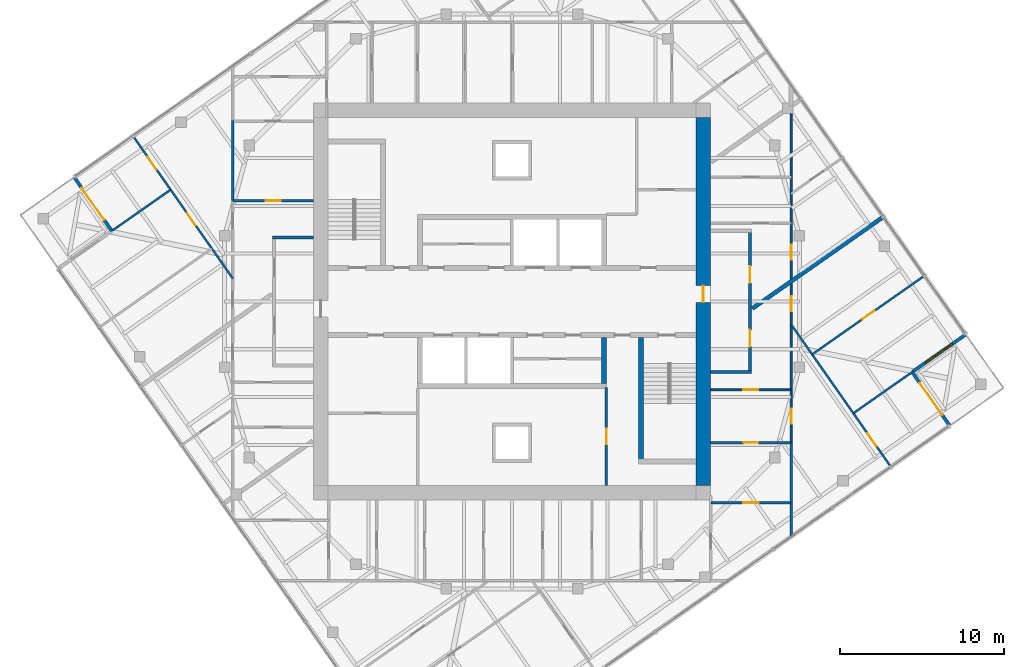
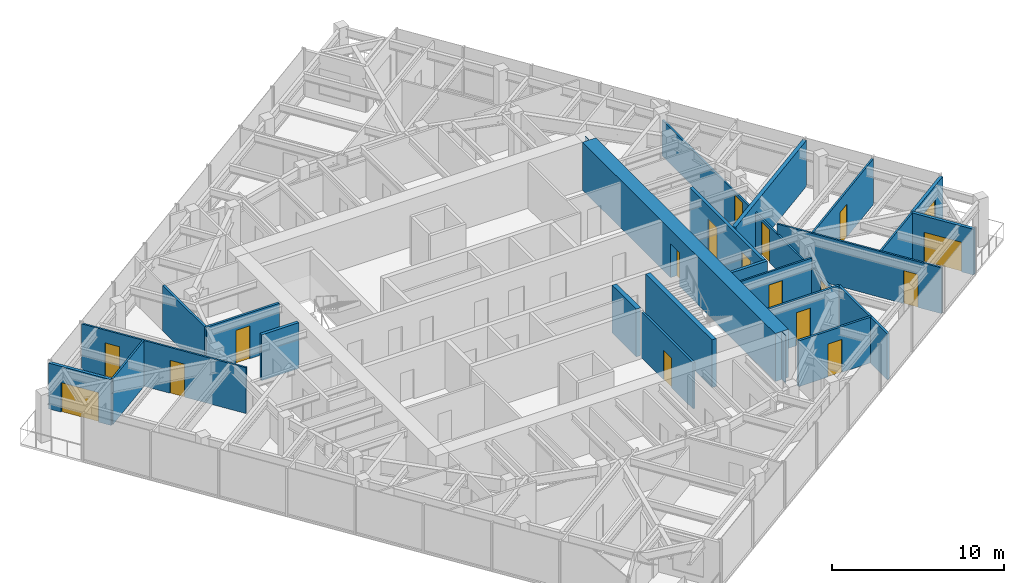
# One storey, part 9 of 12: 23 walls, 17 doors, 1 window, 18 openings.
"""IFC4 building model written with IfcOpenShell, lengths in metres."""

import ifcopenshell
import ifcopenshell.guid

model = None  # the IFC model being written
_history = None  # IfcOwnerHistory: only IFC2X3 demands one
_inside = {}  # id of a spatial element -> (the spatial element, [elements in it])
_under = {}  # id of a project, library or spatial element -> (it, [spatial elements below it])
_declared = {}  # id of a project -> (the project, [libraries it declares])
_typed = {}  # id of a type object -> (the type object, [elements of that type])
_made_of = {}  # id of a material, layer set ... -> (it, [elements and type objects made of it])


def new_model(schema):
    """Start an empty IFC model of exactly this schema.

    Asked for "IFC4X3", IfcOpenShell would pick the latest addendum, in which some entities
    have other attributes; the version numbers below select the first issue.
    IFC2X3 requires an IfcOwnerHistory on every rooted entity: one is made here for all.
    """
    global model, _history
    if schema == "IFC4X3":
        model = ifcopenshell.file(schema_version=(4, 3, 0, 0))
    else:
        model = ifcopenshell.file(schema=schema)
    _inside.clear()
    _under.clear()
    _declared.clear()
    _typed.clear()
    _made_of.clear()
    _history = None
    if model.schema == "IFC2X3":
        org = make("IfcOrganization", Name="unknown")
        user = make(
            "IfcPersonAndOrganization",
            ThePerson=make("IfcPerson", FamilyName="unknown"),
            TheOrganization=org,
        )
        app = make(
            "IfcApplication",
            ApplicationDeveloper=org,
            Version="unknown",
            ApplicationFullName="unknown",
            ApplicationIdentifier="unknown",
        )
        _history = make(
            "IfcOwnerHistory",
            OwningUser=user,
            OwningApplication=app,
            ChangeAction="ADDED",
            CreationDate=0,
        )
    return model


def make(cls, **values):
    """One entity of the class cls with the attributes given. An attribute that is None is left unset."""
    return model.create_entity(
        cls, **{name: value for name, value in values.items() if value is not None}
    )


def rooted(cls, **values):
    """An entity with a GlobalId (a new one), such as an element, a storey or a relation."""
    return make(cls, GlobalId=ifcopenshell.guid.new(), OwnerHistory=_history, **values)


def si_unit(unit_type, name, prefix=None):
    """IfcSIUnit, for example si_unit("LENGTHUNIT", "METRE", prefix="MILLI")."""
    return make("IfcSIUnit", UnitType=unit_type, Prefix=prefix, Name=name)


def assignment(units):
    """IfcUnitAssignment: the units of a project."""
    return None if units is None else make("IfcUnitAssignment", Units=units)


def point(xyz):
    """IfcCartesianPoint."""
    return None if xyz is None else make("IfcCartesianPoint", Coordinates=xyz)


def direction(xyz):
    """IfcDirection."""
    return None if xyz is None else make("IfcDirection", DirectionRatios=xyz)


def frame(location, z_axis=None, x_axis=None):
    """IfcAxis2Placement3D, a coordinate frame: its origin and axes. An axis left out is left unset."""
    return make(
        "IfcAxis2Placement3D",
        Location=point(location),
        Axis=direction(z_axis),
        RefDirection=direction(x_axis),
    )


def frame_2d(location, x_axis=None):
    """IfcAxis2Placement2D, a coordinate frame in the plane: its origin and x axis."""
    return make(
        "IfcAxis2Placement2D", Location=point(location), RefDirection=direction(x_axis)
    )


def origin():
    """The frame at (0, 0, 0) with its axes left unset."""
    return frame((0.0, 0.0, 0.0))


def place(relative_to, where):
    """IfcLocalPlacement: puts the frame where relative to a parent placement (None: the world)."""
    return make(
        "IfcLocalPlacement", PlacementRelTo=relative_to, RelativePlacement=where
    )


def context(
    kind, dimensions, precision=None, world=None, true_north=None, identifier=None
):
    """IfcGeometricRepresentationContext, for example the 3D "Model" context."""
    return make(
        "IfcGeometricRepresentationContext",
        ContextIdentifier=identifier,
        ContextType=kind,
        CoordinateSpaceDimension=dimensions,
        Precision=precision,
        WorldCoordinateSystem=world,
        TrueNorth=true_north,
    )


def subcontext(parent, identifier, kind, view, scale=None):
    """IfcGeometricRepresentationSubContext, for example "Body" below "Model"."""
    return make(
        "IfcGeometricRepresentationSubContext",
        ContextIdentifier=identifier,
        ContextType=kind,
        ParentContext=parent,
        TargetScale=scale,
        TargetView=view,
    )


def project(units=None, contexts=None):
    """IfcProject with its units and contexts."""
    return rooted(
        "IfcProject",
        Name="project",
        RepresentationContexts=contexts,
        UnitsInContext=assignment(units),
    )


def spatial(cls, under=None, at=None, **own):
    """A site, building, storey or space (cls), placed at a placement, below another one or the project."""
    s = rooted(cls, ObjectPlacement=at, **own)
    if under is not None:
        _under.setdefault(under.id(), (under, []))[1].append(s)
    return s


def polyline(points):
    """IfcPolyline through the points."""
    return make("IfcPolyline", Points=[point(p) for p in points])


def profile(cls, at=None, kind="AREA", **sizes):
    """A parametric profile (cls). Its sizes go by their IFC names, for example OverallWidth=200.0."""
    return make(cls, ProfileType=kind, Position=at, **sizes)


def rectangle(**sizes):
    """IfcRectangleProfileDef."""
    return profile("IfcRectangleProfileDef", **sizes)


def outline(outer, holes=None, kind="AREA"):
    """IfcArbitraryClosedProfileDef: a profile drawn as a closed curve; with holes, ...WithVoids."""
    if holes is None:
        return make("IfcArbitraryClosedProfileDef", ProfileType=kind, OuterCurve=outer)
    return make(
        "IfcArbitraryProfileDefWithVoids",
        ProfileType=kind,
        OuterCurve=outer,
        InnerCurves=holes,
    )


def extrude(swept, where, along, depth):
    """IfcExtrudedAreaSolid: the profile swept, set in the frame where, extruded along a direction by depth."""
    return make(
        "IfcExtrudedAreaSolid",
        SweptArea=swept,
        Position=where,
        ExtrudedDirection=direction(along),
        Depth=depth,
    )


def shape(context_of_items, identifier, shape_type, items):
    """IfcShapeRepresentation: the items that make up one representation, for example the "Body"."""
    return make(
        "IfcShapeRepresentation",
        ContextOfItems=context_of_items,
        RepresentationIdentifier=identifier,
        RepresentationType=shape_type,
        Items=items,
    )


def material(Name=None, Category=None):
    """IfcMaterial."""
    return make("IfcMaterial", Name=Name, Category=Category)


def layer(
    of_material, thickness, ventilated=None, Name=None, Category=None, Priority=None
):
    """IfcMaterialLayer: one layer of a wall or slab, of a material (None: an air gap)."""
    return make(
        "IfcMaterialLayer",
        Material=of_material,
        LayerThickness=thickness,
        IsVentilated=ventilated,
        Name=Name,
        Category=Category,
        Priority=Priority,
    )


def layer_set(layers, Name=None):
    """IfcMaterialLayerSet."""
    return make("IfcMaterialLayerSet", MaterialLayers=layers, LayerSetName=Name)


def made_of(thing, what):
    """Note that an element or type object is made of a material, layer set ...; save() writes the relation."""
    if what is not None:
        _made_of.setdefault(what.id(), (what, []))[1].append(thing)
    return thing


def type_object(cls, material=None, **own):
    """A type object (cls), such as IfcWallType, which elements share."""
    return made_of(rooted(cls, **own), material)


def element(
    cls,
    number,
    at=None,
    inside=None,
    cuts=None,
    type_object=None,
    material=None,
    context=None,
    identifier="Body",
    shape_type=None,
    held_by="IfcProductDefinitionShape",
    body=None,
    shapes=None,
    **own,
):
    """One element of the class cls, such as IfcWall. Its Tag is "e" and its number.

    at: its placement. inside: the storey or other place that contains it. cuts: it is an
    opening in that element (IfcRelVoidsElement). A single representation is given by context,
    identifier, shape_type and body (its items); several are given by shapes. held_by: the class
    of the entity that holds the representations. save() writes the other relations.
    """
    e = rooted(cls, Tag="e%d" % number, ObjectPlacement=at, **own)
    if body is not None:
        shapes = [shape(context, identifier, shape_type, body)]
    if shapes is not None:
        e.Representation = make(held_by, Representations=shapes)
    if inside is not None:
        _inside.setdefault(inside.id(), (inside, []))[1].append(e)
    if cuts is not None:
        rooted(
            "IfcRelVoidsElement", RelatingBuildingElement=cuts, RelatedOpeningElement=e
        )
    if type_object is not None:
        _typed.setdefault(type_object.id(), (type_object, []))[1].append(e)
    return made_of(e, material)


def fill(opening, filler):
    """IfcRelFillsElement: the door or window that sits in an opening."""
    return rooted(
        "IfcRelFillsElement",
        RelatingOpeningElement=opening,
        RelatedBuildingElement=filler,
    )


def aggregate(whole, parts):
    """IfcRelAggregates: a whole, such as a stair, and the parts it consists of."""
    return rooted("IfcRelAggregates", RelatingObject=whole, RelatedObjects=parts)


def save(model, path):
    """Write the relations noted so far, then the file.

    IfcRelAggregates (storeys below a building ...), IfcRelContainedInSpatialStructure (elements
    in a storey), IfcRelDefinesByType, IfcRelAssociatesMaterial and IfcRelDeclares: one each for
    every whole, place, type object, material and project.
    """
    for whole, parts in _under.values():
        aggregate(whole, parts)
    for where, things in _inside.values():
        rooted(
            "IfcRelContainedInSpatialStructure",
            RelatedElements=things,
            RelatingStructure=where,
        )
    for kind, things in _typed.values():
        rooted("IfcRelDefinesByType", RelatedObjects=things, RelatingType=kind)
    for what, things in _made_of.values():
        rooted("IfcRelAssociatesMaterial", RelatedObjects=things, RelatingMaterial=what)
    for by, libraries in _declared.values():
        rooted("IfcRelDeclares", RelatingContext=by, RelatedDefinitions=libraries)
    model.write(path)


model = new_model("IFC4")

# Units and contexts
model_context = context("Model", 3, precision=1e-05, world=origin(), true_north=direction((0.0, 1.0)))
body_context = subcontext(model_context, "Body", "Model", "MODEL_VIEW")
ifc_project = project(units=[si_unit("LENGTHUNIT", "METRE"), si_unit("AREAUNIT", "SQUARE_METRE"), si_unit("VOLUMEUNIT", "CUBIC_METRE"), si_unit("PLANEANGLEUNIT", "RADIAN"), si_unit("MASSUNIT", "GRAM", prefix="KILO")], contexts=[model_context])

# Site, building, storey
site_placement = place(None, origin())
site = spatial("IfcSite", under=ifc_project, at=site_placement, CompositionType="ELEMENT")
building_placement = place(site_placement, origin())
building = spatial("IfcBuilding", under=site, at=building_placement, Name="Torsade Residences", CompositionType="ELEMENT")
storey_placement = place(building_placement, frame((0.0, 0.0, 243.800048828125)))
storey = spatial("IfcBuildingStorey", under=building, at=storey_placement, Name="L67", CompositionType="ELEMENT", Elevation=243.800048828125)

# Walls
ifc_material_1 = material(Name="Concrete 80 MPa", Category="concrete")
ifc_layer_1 = layer(ifc_material_1, 0.300048828125)
ifc_layer_set_1 = layer_set([ifc_layer_1], Name="Concrete 80 MPa")
wall_type_1 = type_object("IfcWallType", Name="CORE INTERNAL WALL 300", PredefinedType="SHEAR", material=ifc_layer_set_1)
wall_1_placement = place(storey_placement, frame((45.60009765625, 27.800048828125, 0.0), z_axis=(0.0, 0.0, 1.0), x_axis=(0.0, -1.0, 0.0)))
element("IfcWall", 1, at=wall_1_placement, inside=storey, type_object=wall_type_1, Name="Core wall DS0 L67", PredefinedType="SHEAR", context=body_context, shape_type="SweptSolid", body=[
    extrude(rectangle(XDim=2.800048828125, YDim=0.300048828125, at=frame_2d((1.39990234375, 0.0))), origin(), (0.0, 0.0, 1.0), 3.39990234375),
])
wall_2_placement = place(storey_placement, frame((47.85009765625, 27.800048828125, 0.0), z_axis=(0.0, 0.0, 1.0), x_axis=(0.0, -1.0, 0.0)))
element("IfcWall", 2, at=wall_2_placement, inside=storey, type_object=wall_type_1, Name="Core wall ST2W L67", PredefinedType="SHEAR", context=body_context, shape_type="SweptSolid", body=[
    extrude(rectangle(XDim=7.699951171875, YDim=0.300048828125, at=frame_2d((3.85009765625, 0.0))), origin(), (0.0, 0.0, 1.0), 3.39990234375),
])

# Wall, opening, door
ifc_material_2 = material(Name="Concrete 80 MPa", Category="concrete")
ifc_layer_2 = layer(ifc_material_2, 0.89990234375)
ifc_layer_set_2 = layer_set([ifc_layer_2], Name="Concrete 80 MPa")
wall_type_2 = type_object("IfcWallType", Name="CORE WALL 900", PredefinedType="SHEAR", material=ifc_layer_set_2)
wall_3_placement = place(storey_placement, frame((51.64990234375, 18.800048828125, 0.0), z_axis=(0.0, 0.0, 1.0), x_axis=(0.0, 1.0, 0.0)))
wall_3 = element("IfcWall", 3, at=wall_3_placement, inside=storey, type_object=wall_type_2, Name="Core wall E L67", PredefinedType="SHEAR", context=body_context, shape_type="SweptSolid", body=[
    extrude(outline(polyline([(0.0, -0.449951171875), (22.39990234375, -0.449951171875), (22.39990234375, -0.02490234375), (22.849853515625, -0.02490234375), (22.849853515625, 0.02490234375), (22.39990234375, 0.02490234375), (22.39990234375, 0.449951171875), (0.0, 0.449951171875), (0.0, 0.02490234375), (-0.449951171875, 0.02490234375), (-0.449951171875, -0.02490234375), (0.0, -0.02490234375), (0.0, -0.449951171875)])), origin(), (0.0, 0.0, 1.0), 3.39990234375),
])
opening_1_placement = place(wall_3_placement, frame((11.139892578125, 0.0, 0.0)))
opening_1 = element("IfcOpeningElement", 4, at=opening_1_placement, cuts=wall_3, Name="Opening D04", PredefinedType="OPENING", context=body_context, shape_type="SweptSolid", body=[
    extrude(rectangle(XDim=1.02001953125, YDim=2.39990234375, at=frame_2d((0.510009765625, 1.199951171875))), frame((0.0, 0.4599609375, 0.0), z_axis=(0.0, -1.0, 0.0), x_axis=(1.0, 0.0, 0.0)), (0.0, 0.0, 1.0), 0.919921875),
])
ifc_material_3 = material(Name="Steel-framed fire door", Category="steel")
door_type_1 = type_object("IfcDoorType", Name="LOBBY SMOKE DOOR 1020x2400", OperationType="NOTDEFINED", PredefinedType="DOOR", material=ifc_material_3)
door_1_placement = place(opening_1_placement, origin())
door_1 = element("IfcDoor", 5, at=door_1_placement, inside=storey, type_object=door_type_1, Name="Lift lobby door E L67", OperationType="SINGLE_SWING_LEFT", OverallHeight=2.39990234375, OverallWidth=1.02001953125, PredefinedType="DOOR", context=body_context, shape_type="SweptSolid", body=[
    extrude(rectangle(XDim=1.02001953125, YDim=2.39990234375, at=frame_2d((0.510009765625, 1.199951171875))), frame((0.0, 0.02490234375, 0.0), z_axis=(0.0, -1.0, 0.0), x_axis=(1.0, 0.0, 0.0)), (0.0, 0.0, 1.0), 0.050048828125),
])
fill(opening_1, door_1)

# Wall, openings, doors
ifc_material_4 = material(Name="Plasterboard on steel stud", Category="steel")
ifc_layer_3 = layer(ifc_material_4, 0.199951171875)
ifc_layer_set_3 = layer_set([ifc_layer_3], Name="Plasterboard on steel stud")
wall_type_3 = type_object("IfcWallType", Name="CORRIDOR WALL 200", PredefinedType="PARTITIONING", material=ifc_layer_set_3)
wall_4_placement = place(storey_placement, frame((54.5, 25.699951171875, 0.0), z_axis=(0.0, 0.0, 1.0), x_axis=(0.0, 1.0, 0.0)))
wall_4 = element("IfcWall", 6, at=wall_4_placement, inside=storey, type_object=wall_type_3, Name="Corridor wall L67", PredefinedType="PARTITIONING", context=body_context, shape_type="SweptSolid", body=[
    extrude(rectangle(XDim=8.60009765625, YDim=0.199951171875, at=frame_2d((4.300048828125, 0.0))), origin(), (0.0, 0.0, 1.0), 3.25),
])
opening_2_placement = place(wall_4_placement, frame((5.43798828125, 0.0, 0.0)))
opening_2 = element("IfcOpeningElement", 7, at=opening_2_placement, cuts=wall_4, Name="Opening D01", PredefinedType="OPENING", context=body_context, shape_type="SweptSolid", body=[
    extrude(rectangle(XDim=1.02001953125, YDim=2.340087890625, at=frame_2d((0.510009765625, 1.169921875))), frame((0.0, 0.10986328125, 0.0), z_axis=(0.0, -1.0, 0.0), x_axis=(1.0, 0.0, 0.0)), (0.0, 0.0, 1.0), 0.219970703125),
])
opening_3_placement = place(wall_4_placement, frame((1.543212890625, 0.0, 0.0)))
opening_3 = element("IfcOpeningElement", 8, at=opening_3_placement, cuts=wall_4, Name="Opening D01", PredefinedType="OPENING", context=body_context, shape_type="SweptSolid", body=[
    extrude(rectangle(XDim=1.02001953125, YDim=2.340087890625, at=frame_2d((0.510009765625, 1.169921875))), frame((0.0, 0.10986328125, 0.0), z_axis=(0.0, -1.0, 0.0), x_axis=(1.0, 0.0, 0.0)), (0.0, 0.0, 1.0), 0.219970703125),
])
ifc_material_5 = material(Name="Solid-core timber fire door", Category="wood")
door_type_2 = type_object("IfcDoorType", Name="APARTMENT ENTRY DOOR 1020x2340", OperationType="NOTDEFINED", PredefinedType="DOOR", material=ifc_material_5)
door_2_placement = place(opening_2_placement, origin())
door_2 = element("IfcDoor", 9, at=door_2_placement, inside=storey, type_object=door_type_2, Name="Door Residential corridor to Kitchen and dining", OperationType="SINGLE_SWING_RIGHT", OverallHeight=2.340087890625, OverallWidth=1.02001953125, PredefinedType="DOOR", context=body_context, shape_type="SweptSolid", body=[
    extrude(rectangle(XDim=1.02001953125, YDim=2.340087890625, at=frame_2d((0.510009765625, 1.169921875))), frame((0.0, 0.02490234375, 0.0), z_axis=(0.0, -1.0, 0.0), x_axis=(1.0, 0.0, 0.0)), (0.0, 0.0, 1.0), 0.050048828125),
])
fill(opening_2, door_2)
door_3_placement = place(opening_3_placement, origin())
door_3 = element("IfcDoor", 10, at=door_3_placement, inside=storey, type_object=door_type_2, Name="Door Residential corridor to Kitchen and dining", OperationType="SINGLE_SWING_LEFT", OverallHeight=2.340087890625, OverallWidth=1.02001953125, PredefinedType="DOOR", context=body_context, shape_type="SweptSolid", body=[
    extrude(rectangle(XDim=1.02001953125, YDim=2.340087890625, at=frame_2d((0.510009765625, 1.169921875))), frame((0.0, 0.02490234375, 0.0), z_axis=(0.0, -1.0, 0.0), x_axis=(1.0, 0.0, 0.0)), (0.0, 0.0, 1.0), 0.050048828125),
])
fill(opening_3, door_3)

# Walls
for number, where, z_axis, x_axis, name in (
    (11, (52.10009765625, 25.699951171875, 0.0), (0.0, 0.0, 1.0), (1.0, 0.0, 0.0), "Corridor wall L67"),
    (12, (27.89990234375, 33.89990234375, 0.0), (0.0, 0.0, 1.0), (-1.0, 0.0, 0.0), "Corridor wall L67"),
):
    element("IfcWall", number, at=place(storey_placement, frame(where, z_axis=z_axis, x_axis=x_axis)), inside=storey, type_object=wall_type_3, Name=name, PredefinedType="PARTITIONING", context=body_context, shape_type="SweptSolid", body=[
        extrude(rectangle(XDim=2.5, YDim=0.199951171875, at=frame_2d((1.25, 0.0))), origin(), (0.0, 0.0, 1.0), 3.25),
    ])

# Wall, opening, door
ifc_material_6 = material(Name="Plasterboard on steel stud", Category="steel")
ifc_layer_4 = layer(ifc_material_6, 0.1201171875)
ifc_layer_set_4 = layer_set([ifc_layer_4], Name="Plasterboard on steel stud")
wall_type_4 = type_object("IfcWallType", Name="PARTITION 120", PredefinedType="PARTITIONING", material=ifc_layer_set_4)
wall_5_placement = place(storey_placement, frame((57.0, 24.617919921875, 0.0), z_axis=(0.0, 0.0, 1.0), x_axis=(-1.0, 0.0, 0.0)))
wall_5 = element("IfcWall", 13, at=wall_5_placement, inside=storey, type_object=wall_type_4, Name="Partition L67", PredefinedType="PARTITIONING", context=body_context, shape_type="SweptSolid", body=[
    extrude(rectangle(XDim=4.89990234375, YDim=0.1201171875, at=frame_2d((2.449951171875, 0.0))), origin(), (0.0, 0.0, 1.0), 3.25),
])
opening_4_placement = place(wall_5_placement, frame((1.989990234375, 0.0, 0.0)))
opening_4 = element("IfcOpeningElement", 14, at=opening_4_placement, cuts=wall_5, Name="Opening D02", PredefinedType="OPENING", context=body_context, shape_type="SweptSolid", body=[
    extrude(rectangle(XDim=0.919921875, YDim=2.340087890625, at=frame_2d((0.4599609375, 1.169921875))), frame((0.0, 0.070068359375, 0.0), z_axis=(0.0, -1.0, 0.0), x_axis=(1.0, 0.0, 0.0)), (0.0, 0.0, 1.0), 0.14013671875),
])
ifc_material_7 = material(Name="Hollow-core timber door", Category="wood")
door_type_3 = type_object("IfcDoorType", Name="INTERNAL DOOR 920x2340", OperationType="NOTDEFINED", PredefinedType="DOOR", material=ifc_material_7)
door_4_placement = place(opening_4_placement, origin())
door_4 = element("IfcDoor", 15, at=door_4_placement, inside=storey, type_object=door_type_3, Name="Door Kitchen and dining to Walk-in robe", OperationType="SINGLE_SWING_LEFT", OverallHeight=2.340087890625, OverallWidth=0.919921875, PredefinedType="DOOR", context=body_context, shape_type="SweptSolid", body=[
    extrude(rectangle(XDim=0.919921875, YDim=2.340087890625, at=frame_2d((0.4599609375, 1.169921875))), frame((0.0, 0.02490234375, 0.0), z_axis=(0.0, -1.0, 0.0), x_axis=(1.0, 0.0, 0.0)), (0.0, 0.0, 1.0), 0.050048828125),
])
fill(opening_4, door_4)

# Wall, openings, doors
wall_6_placement = place(storey_placement, frame((57.0, 41.903564453125, 0.0), z_axis=(0.0, 0.0, 1.0), x_axis=(0.0, -1.0, 0.0)))
wall_6 = element("IfcWall", 16, at=wall_6_placement, inside=storey, type_object=wall_type_4, Name="Partition L67", PredefinedType="PARTITIONING", context=body_context, shape_type="SweptSolid", body=[
    extrude(rectangle(XDim=20.497802734375, YDim=0.1201171875, at=frame_2d((10.2490234375, 0.0))), origin(), (0.0, 0.0, 1.0), 2.550048828125),
])
opening_5_placement = place(wall_6_placement, frame((8.449462890625, 0.0, 0.0)))
opening_5 = element("IfcOpeningElement", 17, at=opening_5_placement, cuts=wall_6, Name="Opening D02", PredefinedType="OPENING", context=body_context, shape_type="SweptSolid", body=[
    extrude(rectangle(XDim=0.919921875, YDim=2.340087890625, at=frame_2d((0.4599609375, 1.169921875))), frame((0.0, 0.070068359375, 0.0), z_axis=(0.0, -1.0, 0.0), x_axis=(1.0, 0.0, 0.0)), (0.0, 0.0, 1.0), 0.14013671875),
])
opening_6_placement = place(wall_6_placement, frame((11.573974609375, 0.0, 0.0)))
opening_6 = element("IfcOpeningElement", 18, at=opening_6_placement, cuts=wall_6, Name="Opening D02", PredefinedType="OPENING", context=body_context, shape_type="SweptSolid", body=[
    extrude(rectangle(XDim=0.919921875, YDim=2.340087890625, at=frame_2d((0.4599609375, 1.169921875))), frame((0.0, 0.070068359375, 0.0), z_axis=(0.0, -1.0, 0.0), x_axis=(1.0, 0.0, 0.0)), (0.0, 0.0, 1.0), 0.14013671875),
])
opening_7_placement = place(wall_6_placement, frame((18.431640625, 0.0, 0.0)))
opening_7 = element("IfcOpeningElement", 19, at=opening_7_placement, cuts=wall_6, Name="Opening D02", PredefinedType="OPENING", context=body_context, shape_type="SweptSolid", body=[
    extrude(rectangle(XDim=0.919921875, YDim=2.340087890625, at=frame_2d((0.4599609375, 1.169921875))), frame((0.0, 0.070068359375, 0.0), z_axis=(0.0, -1.0, 0.0), x_axis=(1.0, 0.0, 0.0)), (0.0, 0.0, 1.0), 0.14013671875),
])
door_5_placement = place(opening_5_placement, origin())
door_5 = element("IfcDoor", 20, at=door_5_placement, inside=storey, type_object=door_type_3, Name="Door Kitchen and dining to Living room", OperationType="SINGLE_SWING_LEFT", OverallHeight=2.340087890625, OverallWidth=0.919921875, PredefinedType="DOOR", context=body_context, shape_type="SweptSolid", body=[
    extrude(rectangle(XDim=0.919921875, YDim=2.340087890625, at=frame_2d((0.4599609375, 1.169921875))), frame((0.0, 0.02490234375, 0.0), z_axis=(0.0, -1.0, 0.0), x_axis=(1.0, 0.0, 0.0)), (0.0, 0.0, 1.0), 0.050048828125),
])
fill(opening_5, door_5)
door_6_placement = place(opening_6_placement, origin())
door_6 = element("IfcDoor", 21, at=door_6_placement, inside=storey, type_object=door_type_3, Name="Door Kitchen and dining to Bedroom 4", OperationType="SINGLE_SWING_LEFT", OverallHeight=2.340087890625, OverallWidth=0.919921875, PredefinedType="DOOR", context=body_context, shape_type="SweptSolid", body=[
    extrude(rectangle(XDim=0.919921875, YDim=2.340087890625, at=frame_2d((0.4599609375, 1.169921875))), frame((0.0, 0.02490234375, 0.0), z_axis=(0.0, -1.0, 0.0), x_axis=(1.0, 0.0, 0.0)), (0.0, 0.0, 1.0), 0.050048828125),
])
fill(opening_6, door_6)
door_7_placement = place(opening_7_placement, origin())
door_7 = element("IfcDoor", 22, at=door_7_placement, inside=storey, type_object=door_type_3, Name="Door Walk-in robe to Bedroom 1", OperationType="SINGLE_SWING_LEFT", OverallHeight=2.340087890625, OverallWidth=0.919921875, PredefinedType="DOOR", context=body_context, shape_type="SweptSolid", body=[
    extrude(rectangle(XDim=0.919921875, YDim=2.340087890625, at=frame_2d((0.4599609375, 1.169921875))), frame((0.0, 0.02490234375, 0.0), z_axis=(0.0, -1.0, 0.0), x_axis=(1.0, 0.0, 0.0)), (0.0, 0.0, 1.0), 0.050048828125),
])
fill(opening_7, door_7)

# Wall, opening, door
wall_7_placement = place(storey_placement, frame((57.0, 28.604248046875, 0.0), z_axis=(0.0, 0.0, 1.0), x_axis=(0.573575545802, -0.819152667857, 0.0)))
wall_7 = element("IfcWall", 23, at=wall_7_placement, inside=storey, type_object=wall_type_4, Name="Partition L67", PredefinedType="PARTITIONING", context=body_context, shape_type="SweptSolid", body=[
    extrude(rectangle(XDim=10.56591796875, YDim=0.1201171875, at=frame_2d((5.282958984375, 0.0))), origin(), (0.0, 0.0, 1.0), 3.25),
])
opening_8_placement = place(wall_7_placement, frame((8.120849609375, 0.0, 0.0)))
opening_8 = element("IfcOpeningElement", 24, at=opening_8_placement, cuts=wall_7, Name="Opening D02", PredefinedType="OPENING", context=body_context, shape_type="SweptSolid", body=[
    extrude(rectangle(XDim=0.919921875, YDim=2.340087890625, at=frame_2d((0.4599609375, 1.169921875))), frame((0.0, 0.070068359375, 0.0), z_axis=(0.0, -1.0, 0.0), x_axis=(1.0, 0.0, 0.0)), (0.0, 0.0, 1.0), 0.14013671875),
])
door_8_placement = place(opening_8_placement, origin())
door_8 = element("IfcDoor", 25, at=door_8_placement, inside=storey, type_object=door_type_3, Name="Door Bedroom 1 to Media room", OperationType="SINGLE_SWING_LEFT", OverallHeight=2.340087890625, OverallWidth=0.919921875, PredefinedType="DOOR", context=body_context, shape_type="SweptSolid", body=[
    extrude(rectangle(XDim=0.919921875, YDim=2.340087890625, at=frame_2d((0.4599609375, 1.169921875))), frame((0.0, 0.02490234375, 0.0), z_axis=(0.0, -1.0, 0.0), x_axis=(1.0, 0.0, 0.0)), (0.0, 0.0, 1.0), 0.050048828125),
])
fill(opening_8, door_8)

wall_8_placement = place(storey_placement, frame((58.279541015625, 26.77685546875, 0.0), z_axis=(0.0, 0.0, 1.0), x_axis=(0.819152099525, 0.573576357466, 0.0)))
wall_8 = element("IfcWall", 26, at=wall_8_placement, inside=storey, type_object=wall_type_4, Name="Partition L67", PredefinedType="PARTITIONING", context=body_context, shape_type="SweptSolid", body=[
    extrude(rectangle(XDim=8.3349609375, YDim=0.1201171875, at=frame_2d((4.16748046875, 0.0))), origin(), (0.0, 0.0, 1.0), 3.25),
])
opening_9_placement = place(wall_8_placement, frame((3.7275390625, 0.0, 0.0)))
opening_9 = element("IfcOpeningElement", 27, at=opening_9_placement, cuts=wall_8, Name="Opening D02", PredefinedType="OPENING", context=body_context, shape_type="SweptSolid", body=[
    extrude(rectangle(XDim=0.919921875, YDim=2.340087890625, at=frame_2d((0.4599609375, 1.169921875))), frame((0.0, 0.070068359375, 0.0), z_axis=(0.0, -1.0, 0.0), x_axis=(1.0, 0.0, 0.0)), (0.0, 0.0, 1.0), 0.14013671875),
])
door_9_placement = place(opening_9_placement, origin())
door_9 = element("IfcDoor", 28, at=door_9_placement, inside=storey, type_object=door_type_3, Name="Door Bedroom 4 to Bedroom 3", OperationType="SINGLE_SWING_LEFT", OverallHeight=2.340087890625, OverallWidth=0.919921875, PredefinedType="DOOR", context=body_context, shape_type="SweptSolid", body=[
    extrude(rectangle(XDim=0.919921875, YDim=2.340087890625, at=frame_2d((0.4599609375, 1.169921875))), frame((0.0, 0.02490234375, 0.0), z_axis=(0.0, -1.0, 0.0), x_axis=(1.0, 0.0, 0.0)), (0.0, 0.0, 1.0), 0.050048828125),
])
fill(opening_9, door_9)

# Wall
wall_9_placement = place(storey_placement, frame((64.340087890625, 25.679443359375, 0.0), z_axis=(0.0, 0.0, 1.0), x_axis=(-0.819165768115, -0.573556836197, 0.0)))
element("IfcWall", 29, at=wall_9_placement, inside=storey, type_object=wall_type_4, Name="Partition L67", PredefinedType="PARTITIONING", context=body_context, shape_type="SweptSolid", body=[
    extrude(rectangle(XDim=4.3349609375, YDim=0.1201171875, at=frame_2d((2.16748046875, 0.0))), origin(), (0.0, 0.0, 1.0), 3.25),
])

# Wall, openings, doors
wall_10_placement = place(storey_placement, frame((23.0, 31.395751953125, 0.0), z_axis=(0.0, 0.0, 1.0), x_axis=(-0.573575545802, 0.819152667857, 0.0)))
wall_10 = element("IfcWall", 30, at=wall_10_placement, inside=storey, type_object=wall_type_4, Name="Partition L67", PredefinedType="PARTITIONING", context=body_context, shape_type="SweptSolid", body=[
    extrude(rectangle(XDim=10.56591796875, YDim=0.1201171875, at=frame_2d((5.282958984375, 0.0))), origin(), (0.0, 0.0, 1.0), 3.25),
])
opening_10_placement = place(wall_10_placement, frame((3.958251953125, 0.0, 0.0)))
opening_10 = element("IfcOpeningElement", 31, at=opening_10_placement, cuts=wall_10, Name="Opening D02", PredefinedType="OPENING", context=body_context, shape_type="SweptSolid", body=[
    extrude(rectangle(XDim=0.919921875, YDim=2.340087890625, at=frame_2d((0.4599609375, 1.169921875))), frame((0.0, 0.070068359375, 0.0), z_axis=(0.0, -1.0, 0.0), x_axis=(1.0, 0.0, 0.0)), (0.0, 0.0, 1.0), 0.14013671875),
])
opening_11_placement = place(wall_10_placement, frame((8.120849609375, 0.0, 0.0)))
opening_11 = element("IfcOpeningElement", 32, at=opening_11_placement, cuts=wall_10, Name="Opening D02", PredefinedType="OPENING", context=body_context, shape_type="SweptSolid", body=[
    extrude(rectangle(XDim=0.919921875, YDim=2.340087890625, at=frame_2d((0.4599609375, 1.169921875))), frame((0.0, 0.070068359375, 0.0), z_axis=(0.0, -1.0, 0.0), x_axis=(1.0, 0.0, 0.0)), (0.0, 0.0, 1.0), 0.14013671875),
])
door_10_placement = place(opening_10_placement, origin())
door_10 = element("IfcDoor", 33, at=door_10_placement, inside=storey, type_object=door_type_3, Name="Door Bedroom 1 to Bedroom 2", OperationType="SINGLE_SWING_RIGHT", OverallHeight=2.340087890625, OverallWidth=0.919921875, PredefinedType="DOOR", context=body_context, shape_type="SweptSolid", body=[
    extrude(rectangle(XDim=0.919921875, YDim=2.340087890625, at=frame_2d((0.4599609375, 1.169921875))), frame((0.0, 0.02490234375, 0.0), z_axis=(0.0, -1.0, 0.0), x_axis=(1.0, 0.0, 0.0)), (0.0, 0.0, 1.0), 0.050048828125),
])
fill(opening_10, door_10)
door_11_placement = place(opening_11_placement, origin())
door_11 = element("IfcDoor", 34, at=door_11_placement, inside=storey, type_object=door_type_3, Name="Door Bedroom 1 to Media room", OperationType="SINGLE_SWING_LEFT", OverallHeight=2.340087890625, OverallWidth=0.919921875, PredefinedType="DOOR", context=body_context, shape_type="SweptSolid", body=[
    extrude(rectangle(XDim=0.919921875, YDim=2.340087890625, at=frame_2d((0.4599609375, 1.169921875))), frame((0.0, 0.02490234375, 0.0), z_axis=(0.0, -1.0, 0.0), x_axis=(1.0, 0.0, 0.0)), (0.0, 0.0, 1.0), 0.050048828125),
])
fill(opening_11, door_11)

# Walls
wall_11_placement = place(storey_placement, frame((15.659912109375, 34.320556640625, 0.0), z_axis=(0.0, 0.0, 1.0), x_axis=(0.819165768115, 0.573556836197, 0.0)))
element("IfcWall", 35, at=wall_11_placement, inside=storey, type_object=wall_type_4, Name="Partition L67", PredefinedType="PARTITIONING", context=body_context, shape_type="SweptSolid", body=[
    extrude(rectangle(XDim=4.3349609375, YDim=0.1201171875, at=frame_2d((2.16748046875, 0.0))), origin(), (0.0, 0.0, 1.0), 3.25),
])
ifc_material_8 = material(Name="Masonry-lined stud party wall", Category="masonry")
ifc_layer_5 = layer(ifc_material_8, 0.25)
ifc_layer_set_5 = layer_set([ifc_layer_5], Name="Masonry-lined stud party wall")
wall_type_5 = type_object("IfcWallType", Name="PARTY WALL 250", PredefinedType="PARTITIONING", material=ifc_layer_set_5)
wall_12_placement = place(storey_placement, frame((62.630615234375, 35.164306640625, 0.0), z_axis=(0.0, 0.0, 1.0), x_axis=(-0.81915902312, -0.573566469418, 0.0)))
element("IfcWall", 36, at=wall_12_placement, inside=storey, type_object=wall_type_5, Name="Party wall L67", PredefinedType="PARTITIONING", context=body_context, shape_type="SweptSolid", body=[
    extrude(rectangle(XDim=9.755859375, YDim=0.25, at=frame_2d((4.8779296875, 0.0))), origin(), (0.0, 0.0, 1.0), 3.25),
])

# Wall, opening, door
ifc_material_9 = material(Name="Reinforced blockwork", Category="masonry")
ifc_layer_6 = layer(ifc_material_9, 0.14990234375)
ifc_layer_set_6 = layer_set([ifc_layer_6], Name="Reinforced blockwork")
wall_type_6 = type_object("IfcWallType", Name="SERVICE ROOM WALL 150", PredefinedType="SOLIDWALL", material=ifc_layer_set_6)
wall_13_placement = place(storey_placement, frame((45.75, 18.800048828125, 0.0), z_axis=(0.0, 0.0, 1.0), x_axis=(0.0, 1.0, 0.0)))
wall_13 = element("IfcWall", 37, at=wall_13_placement, inside=storey, type_object=wall_type_6, Name="Service room wall L67", PredefinedType="SOLIDWALL", context=body_context, shape_type="SweptSolid", body=[
    extrude(rectangle(XDim=5.949951171875, YDim=0.14990234375, at=frame_2d((2.97509765625, 0.0))), origin(), (0.0, 0.0, 1.0), 3.25),
])
opening_12_placement = place(wall_13_placement, frame((2.514892578125, 0.0, 0.0)))
opening_12 = element("IfcOpeningElement", 38, at=opening_12_placement, cuts=wall_13, Name="Opening D06", PredefinedType="OPENING", context=body_context, shape_type="SweptSolid", body=[
    extrude(rectangle(XDim=0.919921875, YDim=2.10009765625, at=frame_2d((0.4599609375, 1.050048828125))), frame((0.0, 0.0849609375, 0.0), z_axis=(0.0, -1.0, 0.0), x_axis=(1.0, 0.0, 0.0)), (0.0, 0.0, 1.0), 0.169921875),
])
ifc_material_10 = material(Name="Steel-framed fire door", Category="steel")
door_type_4 = type_object("IfcDoorType", Name="FIRE DOOR 920", OperationType="NOTDEFINED", PredefinedType="DOOR", material=ifc_material_10)
door_12_placement = place(opening_12_placement, origin())
door_12 = element("IfcDoor", 39, at=door_12_placement, inside=storey, type_object=door_type_4, Name="Door Security and data store to Communications riser room", OperationType="SINGLE_SWING_LEFT", OverallHeight=2.10009765625, OverallWidth=0.919921875, PredefinedType="DOOR", context=body_context, shape_type="SweptSolid", body=[
    extrude(rectangle(XDim=0.919921875, YDim=2.10009765625, at=frame_2d((0.4599609375, 1.050048828125))), frame((0.0, 0.02490234375, 0.0), z_axis=(0.0, -1.0, 0.0), x_axis=(1.0, 0.0, 0.0)), (0.0, 0.0, 1.0), 0.050048828125),
])
fill(opening_12, door_12)

wall_14_placement = place(storey_placement, frame((52.10888671875, 17.743408203125, 0.0), z_axis=(0.0, 0.0, 1.0), x_axis=(1.0, 0.0, 0.0)))
wall_14 = element("IfcWall", 40, at=wall_14_placement, inside=storey, type_object=wall_type_6, Name="Service room wall L67", PredefinedType="SOLIDWALL", context=body_context, shape_type="SweptSolid", body=[
    extrude(rectangle(XDim=4.89111328125, YDim=0.14990234375, at=frame_2d((2.445556640625, 0.0))), origin(), (0.0, 0.0, 1.0), 3.25),
])
opening_13_placement = place(wall_14_placement, frame((1.985595703125, 0.0, 0.0)))
opening_13 = element("IfcOpeningElement", 41, at=opening_13_placement, cuts=wall_14, Name="Opening D02", PredefinedType="OPENING", context=body_context, shape_type="SweptSolid", body=[
    extrude(rectangle(XDim=0.919921875, YDim=2.340087890625, at=frame_2d((0.4599609375, 1.169921875))), frame((0.0, 0.0849609375, 0.0), z_axis=(0.0, -1.0, 0.0), x_axis=(1.0, 0.0, 0.0)), (0.0, 0.0, 1.0), 0.169921875),
])
door_13_placement = place(opening_13_placement, origin())
door_13 = element("IfcDoor", 42, at=door_13_placement, inside=storey, type_object=door_type_3, Name="Door Store to Linen store 3", OperationType="SINGLE_SWING_RIGHT", OverallHeight=2.340087890625, OverallWidth=0.919921875, PredefinedType="DOOR", context=body_context, shape_type="SweptSolid", body=[
    extrude(rectangle(XDim=0.919921875, YDim=2.340087890625, at=frame_2d((0.4599609375, 1.169921875))), frame((0.0, 0.02490234375, 0.0), z_axis=(0.0, -1.0, 0.0), x_axis=(1.0, 0.0, 0.0)), (0.0, 0.0, 1.0), 0.050048828125),
])
fill(opening_13, door_13)

# Wall
wall_15_placement = place(storey_placement, frame((57.0, 21.40576171875, 0.0), z_axis=(0.0, 0.0, 1.0), x_axis=(0.0, -1.0, 0.0)))
element("IfcWall", 43, at=wall_15_placement, inside=storey, type_object=wall_type_6, Name="Service room wall L67", PredefinedType="SOLIDWALL", context=body_context, shape_type="SweptSolid", body=[
    extrude(rectangle(XDim=5.699951171875, YDim=0.14990234375, at=frame_2d((2.85009765625, 0.0))), origin(), (0.0, 0.0, 1.0), 3.25),
])

# Wall, opening, door
wall_16_placement = place(storey_placement, frame((57.0, 21.40576171875, 0.0), z_axis=(0.0, 0.0, 1.0), x_axis=(-1.0, 0.0, 0.0)))
wall_16 = element("IfcWall", 44, at=wall_16_placement, inside=storey, type_object=wall_type_6, Name="Service room wall L67", PredefinedType="SOLIDWALL", context=body_context, shape_type="SweptSolid", body=[
    extrude(rectangle(XDim=4.89990234375, YDim=0.14990234375, at=frame_2d((2.449951171875, 0.0))), origin(), (0.0, 0.0, 1.0), 3.25),
])
opening_14_placement = place(wall_16_placement, frame((1.989990234375, 0.0, 0.0)))
opening_14 = element("IfcOpeningElement", 45, at=opening_14_placement, cuts=wall_16, Name="Opening D02", PredefinedType="OPENING", context=body_context, shape_type="SweptSolid", body=[
    extrude(rectangle(XDim=0.919921875, YDim=2.340087890625, at=frame_2d((0.4599609375, 1.169921875))), frame((0.0, 0.0849609375, 0.0), z_axis=(0.0, -1.0, 0.0), x_axis=(1.0, 0.0, 0.0)), (0.0, 0.0, 1.0), 0.169921875),
])
door_14_placement = place(opening_14_placement, origin())
door_14 = element("IfcDoor", 46, at=door_14_placement, inside=storey, type_object=door_type_3, Name="Door Walk-in robe to Store", OperationType="SINGLE_SWING_LEFT", OverallHeight=2.340087890625, OverallWidth=0.919921875, PredefinedType="DOOR", context=body_context, shape_type="SweptSolid", body=[
    extrude(rectangle(XDim=0.919921875, YDim=2.340087890625, at=frame_2d((0.4599609375, 1.169921875))), frame((0.0, 0.02490234375, 0.0), z_axis=(0.0, -1.0, 0.0), x_axis=(1.0, 0.0, 0.0)), (0.0, 0.0, 1.0), 0.050048828125),
])
fill(opening_14, door_14)

wall_17_placement = place(storey_placement, frame((23.0, 36.14453125, 0.0), z_axis=(0.0, 0.0, 1.0), x_axis=(1.0, 0.0, 0.0)))
wall_17 = element("IfcWall", 47, at=wall_17_placement, inside=storey, type_object=wall_type_6, Name="Service room wall L67", PredefinedType="SOLIDWALL", context=body_context, shape_type="SweptSolid", body=[
    extrude(rectangle(XDim=4.89990234375, YDim=0.14990234375, at=frame_2d((2.449951171875, 0.0))), origin(), (0.0, 0.0, 1.0), 3.25),
])
opening_15_placement = place(wall_17_placement, frame((1.989990234375, 0.0, 0.0)))
opening_15 = element("IfcOpeningElement", 48, at=opening_15_placement, cuts=wall_17, Name="Opening D02", PredefinedType="OPENING", context=body_context, shape_type="SweptSolid", body=[
    extrude(rectangle(XDim=0.919921875, YDim=2.340087890625, at=frame_2d((0.4599609375, 1.169921875))), frame((0.0, 0.0849609375, 0.0), z_axis=(0.0, -1.0, 0.0), x_axis=(1.0, 0.0, 0.0)), (0.0, 0.0, 1.0), 0.169921875),
])
door_15_placement = place(opening_15_placement, origin())
door_15 = element("IfcDoor", 49, at=door_15_placement, inside=storey, type_object=door_type_3, Name="Door Kitchen and dining to Linen store 4", OperationType="SINGLE_SWING_LEFT", OverallHeight=2.340087890625, OverallWidth=0.919921875, PredefinedType="DOOR", context=body_context, shape_type="SweptSolid", body=[
    extrude(rectangle(XDim=0.919921875, YDim=2.340087890625, at=frame_2d((0.4599609375, 1.169921875))), frame((0.0, 0.02490234375, 0.0), z_axis=(0.0, -1.0, 0.0), x_axis=(1.0, 0.0, 0.0)), (0.0, 0.0, 1.0), 0.050048828125),
])
fill(opening_15, door_15)

# Wall
wall_18_placement = place(storey_placement, frame((23.0, 41.02392578125, 0.0), z_axis=(0.0, 0.0, 1.0), x_axis=(0.0, -1.0, 0.0)))
element("IfcWall", 50, at=wall_18_placement, inside=storey, type_object=wall_type_6, Name="Service room wall L67", PredefinedType="SOLIDWALL", context=body_context, shape_type="SweptSolid", body=[
    extrude(rectangle(XDim=4.87939453125, YDim=0.14990234375, at=frame_2d((2.439697265625, 0.0))), origin(), (0.0, 0.0, 1.0), 3.25),
])

# Wall, opening, door
ifc_material_11 = material(Name="Stone-faced precast concrete 40 MPa panel", Category="masonry")
ifc_layer_7 = layer(ifc_material_11, 0.199951171875)
ifc_layer_set_7 = layer_set([ifc_layer_7], Name="Stone-faced precast concrete 40 MPa panel")
wall_type_7 = type_object("IfcWallType", Name="TERRACE WALL 200", PredefinedType="SOLIDWALL", material=ifc_layer_set_7)
wall_19_placement = place(storey_placement, frame((66.6669921875, 22.42578125, 0.0), z_axis=(0.0, 0.0, 1.0), x_axis=(-0.573556557423, 0.819165963305, 0.0)))
wall_19 = element("IfcWall", 51, at=wall_19_placement, inside=storey, type_object=wall_type_7, Name="Terrace wall L67 2", PredefinedType="SOLIDWALL", context=body_context, shape_type="SweptSolid", body=[
    extrude(rectangle(XDim=4.0, YDim=0.199951171875, at=frame_2d((2.0, 0.0))), origin(), (0.0, 0.0, 1.0), 3.25),
])
opening_16_placement = place(wall_19_placement, frame((0.800048828125, 0.0, 0.0)))
opening_16 = element("IfcOpeningElement", 52, at=opening_16_placement, cuts=wall_19, Name="Opening D10A", PredefinedType="OPENING", context=body_context, shape_type="SweptSolid", body=[
    extrude(rectangle(XDim=2.39990234375, YDim=2.10009765625, at=frame_2d((1.199951171875, 1.050048828125))), frame((0.0, 0.10986328125, 0.0), z_axis=(0.0, -1.0, 0.0), x_axis=(1.0, 0.0, 0.0)), (0.0, 0.0, 1.0), 0.219970703125),
])
ifc_material_12 = material(Name="Aluminium-framed glass door", Category="aluminium")
door_type_5 = type_object("IfcDoorType", Name="TERRACE SLIDING DOOR 2400x2100", OperationType="SLIDING_TO_LEFT", PredefinedType="DOOR", material=ifc_material_12)
door_16_placement = place(opening_16_placement, origin())
door_16 = element("IfcDoor", 53, at=door_16_placement, inside=storey, type_object=door_type_5, Name="Terrace door L67 2", OperationType="SLIDING_TO_LEFT", OverallHeight=2.10009765625, OverallWidth=2.39990234375, PredefinedType="DOOR", context=body_context, shape_type="SweptSolid", body=[
    extrude(rectangle(XDim=2.39990234375, YDim=2.10009765625, at=frame_2d((1.199951171875, 1.050048828125))), frame((0.0, 0.02490234375, 0.0), z_axis=(0.0, -1.0, 0.0), x_axis=(1.0, 0.0, 0.0)), (0.0, 0.0, 1.0), 0.050048828125),
])
fill(opening_16, door_16)

# Wall, opening, window
wall_20_placement = place(storey_placement, frame((64.372802734375, 25.702392578125, 0.0), z_axis=(0.0, 0.0, 1.0), x_axis=(0.819137286189, 0.573597512525, 0.0)))
wall_20 = element("IfcWall", 54, at=wall_20_placement, inside=storey, type_object=wall_type_7, Name="Terrace wall L67 3", PredefinedType="SOLIDWALL", context=body_context, shape_type="SweptSolid", body=[
    extrude(rectangle(XDim=4.0, YDim=0.199951171875, at=frame_2d((2.0, 0.0))), origin(), (0.0, 0.0, 1.0), 3.25),
])
opening_17_placement = place(wall_20_placement, frame((1.0, 0.0, 0.449951171875)))
opening_17 = element("IfcOpeningElement", 55, at=opening_17_placement, cuts=wall_20, Name="Opening W1B", PredefinedType="OPENING", context=body_context, shape_type="SweptSolid", body=[
    extrude(rectangle(XDim=2.0, YDim=1.800048828125, at=frame_2d((1.0, 0.89990234375))), frame((0.0, 0.10986328125, 0.0), z_axis=(0.0, -1.0, 0.0), x_axis=(1.0, 0.0, 0.0)), (0.0, 0.0, 1.0), 0.219970703125),
])
ifc_material_13 = material(Name="Aluminium-framed glass window", Category="aluminium")
window_type = type_object("IfcWindowType", Name="TERRACE WINDOW 2000x1800", PartitioningType="SINGLE_PANEL", PredefinedType="WINDOW", material=ifc_material_13)
window_placement = place(opening_17_placement, origin())
window = element("IfcWindow", 56, at=window_placement, inside=storey, type_object=window_type, Name="Terrace window L67 3", OverallHeight=1.800048828125, OverallWidth=2.0, PartitioningType="SINGLE_PANEL", PredefinedType="WINDOW", context=body_context, shape_type="SweptSolid", body=[
    extrude(rectangle(XDim=2.0, YDim=1.800048828125, at=frame_2d((1.0, 0.89990234375))), frame((0.0, 0.030029296875, 0.0), z_axis=(0.0, -1.0, 0.0), x_axis=(1.0, 0.0, 0.0)), (0.0, 0.0, 1.0), 0.06005859375),
])
fill(opening_17, window)

# Wall, opening, door
wall_21_placement = place(storey_placement, frame((13.3330078125, 37.57421875, 0.0), z_axis=(0.0, 0.0, 1.0), x_axis=(0.573556557423, -0.819165963305, 0.0)))
wall_21 = element("IfcWall", 57, at=wall_21_placement, inside=storey, type_object=wall_type_7, Name="Terrace wall L67 8", PredefinedType="SOLIDWALL", context=body_context, shape_type="SweptSolid", body=[
    extrude(rectangle(XDim=4.0, YDim=0.199951171875, at=frame_2d((2.0, 0.0))), origin(), (0.0, 0.0, 1.0), 3.25),
])
opening_18_placement = place(wall_21_placement, frame((0.800048828125, 0.0, 0.0)))
opening_18 = element("IfcOpeningElement", 58, at=opening_18_placement, cuts=wall_21, Name="Opening D10A", PredefinedType="OPENING", context=body_context, shape_type="SweptSolid", body=[
    extrude(rectangle(XDim=2.39990234375, YDim=2.10009765625, at=frame_2d((1.199951171875, 1.050048828125))), frame((0.0, 0.10986328125, 0.0), z_axis=(0.0, -1.0, 0.0), x_axis=(1.0, 0.0, 0.0)), (0.0, 0.0, 1.0), 0.219970703125),
])
door_17_placement = place(opening_18_placement, origin())
door_17 = element("IfcDoor", 59, at=door_17_placement, inside=storey, type_object=door_type_5, Name="Terrace door L67 8", OperationType="SLIDING_TO_LEFT", OverallHeight=2.10009765625, OverallWidth=2.39990234375, PredefinedType="DOOR", context=body_context, shape_type="SweptSolid", body=[
    extrude(rectangle(XDim=2.39990234375, YDim=2.10009765625, at=frame_2d((1.199951171875, 1.050048828125))), frame((0.0, 0.02490234375, 0.0), z_axis=(0.0, -1.0, 0.0), x_axis=(1.0, 0.0, 0.0)), (0.0, 0.0, 1.0), 0.050048828125),
])
fill(opening_18, door_17)

save(model, "model.ifc")
